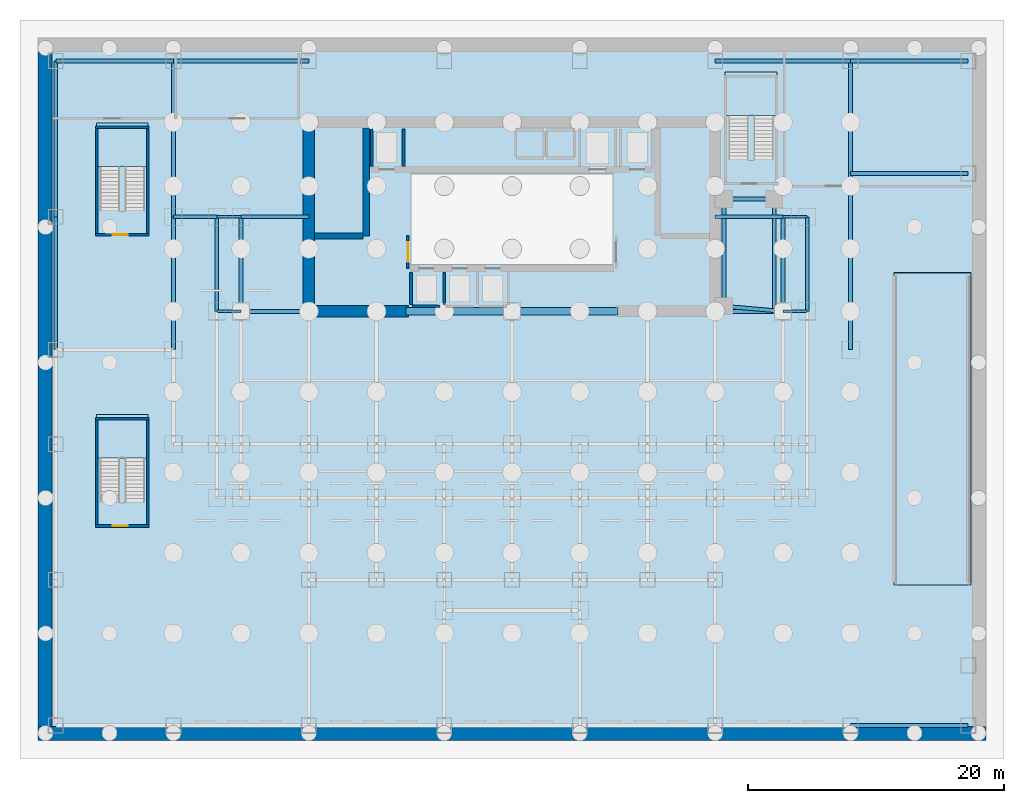
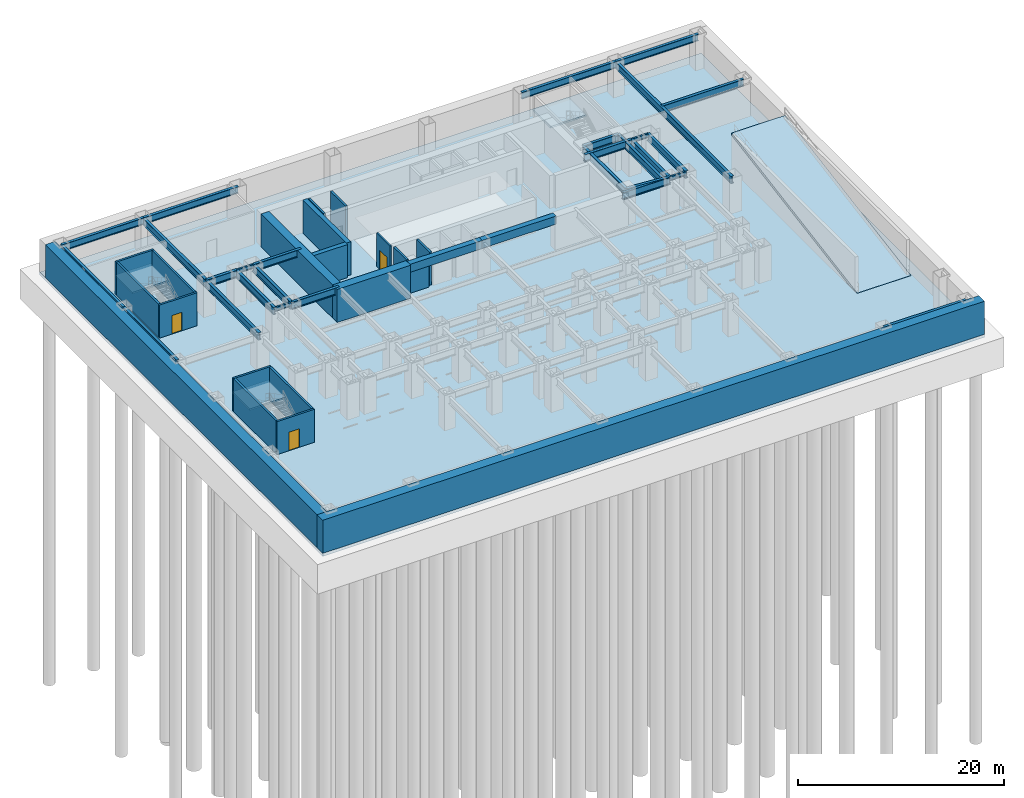
# One storey, part 3 of 7: 30 beams, 20 walls, 5 slabs, 3 doors, 3 openings, 3 elements without a shape of their own.
"""IFC4 building model written with IfcOpenShell, lengths in metres."""

from ifc_helpers import new_model, si_unit, direction, frame, frame_2d, origin, origin_2d, place, context, subcontext, project, spatial, polyline, rectangle, i_section, outline, extrude, material, layer, layer_set, material_profile, profile_set, type_object, element, fill, aggregate, save


model = new_model("IFC4")

# Units and contexts
model_context = context("Model", 3, precision=1e-05, world=origin(), true_north=direction((0.0, 1.0)))
body_context = subcontext(model_context, "Body", "Model", "MODEL_VIEW")
ifc_project = project(units=[si_unit("LENGTHUNIT", "METRE"), si_unit("AREAUNIT", "SQUARE_METRE"), si_unit("VOLUMEUNIT", "CUBIC_METRE"), si_unit("PLANEANGLEUNIT", "RADIAN"), si_unit("MASSUNIT", "GRAM", prefix="KILO")], contexts=[model_context])

# Site, building, storey
site_placement = place(None, origin())
site = spatial("IfcSite", under=ifc_project, at=site_placement, CompositionType="ELEMENT")
building_placement = place(site_placement, origin())
building = spatial("IfcBuilding", under=site, at=building_placement, Name="Qianlan Lanfeng Residences", CompositionType="ELEMENT")
storey_placement = place(building_placement, frame((0.0, 0.0, -8.39990234375)))
storey = spatial("IfcBuildingStorey", under=building, at=storey_placement, Name="B2", CompositionType="ELEMENT", Elevation=-8.39990234375)

# Beams
ifc_material_1 = material(Name="Steel SN490B", Category="steel")
ifc_material_profile_1 = material_profile(ifc_material_1, i_section(OverallWidth=0.300048828125, OverallDepth=0.85009765625, WebThickness=0.01611328125, FlangeThickness=0.031982421875, at=origin_2d()), Name="H 850x300x16x32")
ifc_profile_set_1 = profile_set([ifc_material_profile_1], Name="Steel SN490B")
beam_type_1 = type_object("IfcBeamType", Name="G-1100", PredefinedType="BEAM", material=ifc_profile_set_1)
for number, where, z_axis, x_axis, name in (
    (1, (5.300048828125, 25.199951171875, 3.494873046875), (1.0, 0.0, 0.0), (0.0, 1.0, 0.0), "Structural beam G-1100"),
    (2, (42.39990234375, 25.199951171875, 3.494873046875), (1.0, 0.0, 0.0), (0.0, 1.0, 0.0), "Structural beam G-1100"),
):
    element("IfcBeam", number, at=place(storey_placement, frame(where, z_axis=z_axis, x_axis=x_axis)), inside=storey, type_object=beam_type_1, Name=name, PredefinedType="BEAM", context=body_context, shape_type="SweptSolid", body=[
        extrude(i_section(OverallWidth=0.300048828125, OverallDepth=0.85009765625, WebThickness=0.01611328125, FlangeThickness=0.031982421875, at=origin_2d()), origin(), (0.0, 0.0, 1.0), 5.300048828125),
    ])
beam_1_placement = place(storey_placement, frame((0.0, 32.60009765625, 3.494873046875), z_axis=(1.0, 0.0, 0.0), x_axis=(0.0, 1.0, 0.0)))
element("IfcBeam", 3, at=beam_1_placement, inside=storey, type_object=beam_type_1, Name="Structural beam G-1100", PredefinedType="BEAM", context=body_context, shape_type="SweptSolid", body=[
    extrude(i_section(OverallWidth=0.300048828125, OverallDepth=0.85009765625, WebThickness=0.01611328125, FlangeThickness=0.031982421875, at=origin_2d()), origin(), (0.0, 0.0, 1.0), 3.39990234375),
])
for number, where, z_axis, x_axis, name in (
    (4, (5.300048828125, 32.60009765625, 3.494873046875), (1.0, 0.0, 0.0), (0.0, 1.0, 0.0), "Structural beam G-1100"),
    (5, (42.39990234375, 32.60009765625, 3.494873046875), (1.0, 0.0, 0.0), (0.0, 1.0, 0.0), "Structural beam G-1100"),
):
    element("IfcBeam", number, at=place(storey_placement, frame(where, z_axis=z_axis, x_axis=x_axis)), inside=storey, type_object=beam_type_1, Name=name, PredefinedType="BEAM", context=body_context, shape_type="SweptSolid", body=[
        extrude(i_section(OverallWidth=0.300048828125, OverallDepth=0.85009765625, WebThickness=0.01611328125, FlangeThickness=0.031982421875, at=origin_2d()), origin(), (0.0, 0.0, 1.0), 5.300048828125),
    ])
beam_2_placement = place(storey_placement, frame((-9.199951171875, 22.199951171875, 3.494873046875), z_axis=(0.0, 1.0, 0.0), x_axis=(-1.0, 0.0, 0.0)))
element("IfcBeam", 6, at=beam_2_placement, inside=storey, type_object=beam_type_1, Name="Structural beam G-1100", PredefinedType="BEAM", context=body_context, shape_type="SweptSolid", body=[
    extrude(i_section(OverallWidth=0.300048828125, OverallDepth=0.85009765625, WebThickness=0.01611328125, FlangeThickness=0.031982421875, at=origin_2d()), origin(), (0.0, 0.0, 1.0), 10.400146484375),
])
beam_3_placement = place(storey_placement, frame((-9.199951171875, 32.60009765625, 3.494873046875), z_axis=(0.0, 1.0, 0.0), x_axis=(-1.0, 0.0, 0.0)))
element("IfcBeam", 7, at=beam_3_placement, inside=storey, type_object=beam_type_1, Name="Structural beam G-1100", PredefinedType="BEAM", context=body_context, shape_type="SweptSolid", body=[
    extrude(i_section(OverallWidth=0.300048828125, OverallDepth=0.85009765625, WebThickness=0.01611328125, FlangeThickness=0.031982421875, at=origin_2d()), origin(), (0.0, 0.0, 1.0), 12.199951171875),
])
beam_4_placement = place(storey_placement, frame((0.0, 22.199951171875, 3.494873046875), z_axis=(0.0, 1.0, 0.0), x_axis=(-1.0, 0.0, 0.0)))
element("IfcBeam", 8, at=beam_4_placement, inside=storey, type_object=beam_type_1, Name="Structural beam G-1100", PredefinedType="BEAM", context=body_context, shape_type="SweptSolid", body=[
    extrude(i_section(OverallWidth=0.300048828125, OverallDepth=0.85009765625, WebThickness=0.01611328125, FlangeThickness=0.031982421875, at=origin_2d()), origin(), (0.0, 0.0, 1.0), 10.400146484375),
])
beam_5_placement = place(storey_placement, frame((0.0, 32.60009765625, 3.494873046875), z_axis=(0.0, 1.0, 0.0), x_axis=(-1.0, 0.0, 0.0)))
element("IfcBeam", 9, at=beam_5_placement, inside=storey, type_object=beam_type_1, Name="Structural beam G-1100", PredefinedType="BEAM", context=body_context, shape_type="SweptSolid", body=[
    extrude(i_section(OverallWidth=0.300048828125, OverallDepth=0.85009765625, WebThickness=0.01611328125, FlangeThickness=0.031982421875, at=origin_2d()), origin(), (0.0, 0.0, 1.0), 12.199951171875),
])
for number, where, z_axis, x_axis, name in (
    (10, (3.39990234375, 25.199951171875, 3.494873046875), (0.0, 1.0, 0.0), (-1.0, 0.0, 0.0), "Structural beam G-1100"),
    (11, (5.300048828125, 25.199951171875, 3.494873046875), (0.0, 1.0, 0.0), (-1.0, 0.0, 0.0), "Structural beam G-1100"),
    (12, (47.699951171875, 25.199951171875, 3.494873046875), (0.0, 1.0, 0.0), (-1.0, 0.0, 0.0), "Structural beam G-1100"),
    (13, (49.60009765625, 25.199951171875, 3.494873046875), (0.0, 1.0, 0.0), (-1.0, 0.0, 0.0), "Structural beam G-1100"),
):
    element("IfcBeam", number, at=place(storey_placement, frame(where, z_axis=z_axis, x_axis=x_axis)), inside=storey, type_object=beam_type_1, Name=name, PredefinedType="BEAM", context=body_context, shape_type="SweptSolid", body=[
        extrude(i_section(OverallWidth=0.300048828125, OverallDepth=0.85009765625, WebThickness=0.01611328125, FlangeThickness=0.031982421875, at=origin_2d()), origin(), (0.0, 0.0, 1.0), 7.400146484375),
    ])
beam_6_placement = place(storey_placement, frame((53.0, 36.0, 3.494873046875), z_axis=(1.0, 0.0, 0.0), x_axis=(0.0, 1.0, 0.0)))
element("IfcBeam", 14, at=beam_6_placement, inside=storey, type_object=beam_type_1, Name="Structural beam G-1100", PredefinedType="BEAM", context=body_context, shape_type="SweptSolid", body=[
    extrude(i_section(OverallWidth=0.300048828125, OverallDepth=0.85009765625, WebThickness=0.01611328125, FlangeThickness=0.031982421875, at=origin_2d()), origin(), (0.0, 0.0, 1.0), 9.199951171875),
])
beam_7_placement = place(storey_placement, frame((53.0, 22.199951171875, 3.494873046875), z_axis=(0.0, 1.0, 0.0), x_axis=(-1.0, 0.0, 0.0)))
element("IfcBeam", 15, at=beam_7_placement, inside=storey, type_object=beam_type_1, Name="Structural beam G-1100", PredefinedType="BEAM", context=body_context, shape_type="SweptSolid", body=[
    extrude(i_section(OverallWidth=0.300048828125, OverallDepth=0.85009765625, WebThickness=0.01611328125, FlangeThickness=0.031982421875, at=origin_2d()), origin(), (0.0, 0.0, 1.0), 22.60009765625),
])
beam_8_placement = place(storey_placement, frame((43.080078125, 25.60009765625, 3.494873046875), z_axis=(0.996269966502, -0.086291099461, 0.0), x_axis=(0.086291099461, 0.996269966502, 0.0)))
element("IfcBeam", 16, at=beam_8_placement, inside=storey, type_object=beam_type_1, Name="B2 ST-P1 South Support Girder", PredefinedType="BEAM", context=body_context, shape_type="SweptSolid", body=[
    extrude(i_section(OverallWidth=0.300048828125, OverallDepth=0.85009765625, WebThickness=0.01611328125, FlangeThickness=0.031982421875, at=origin_2d()), origin(), (0.0, 0.0, 1.0), 4.63720703125),
])
beam_9_placement = place(storey_placement, frame((43.080078125, 34.0, 3.494873046875), z_axis=(1.0, 0.0, 0.0), x_axis=(0.0, 1.0, 0.0)))
element("IfcBeam", 17, at=beam_9_placement, inside=storey, type_object=beam_type_1, Name="B2 ST-P1 North Support Girder", PredefinedType="BEAM", context=body_context, shape_type="SweptSolid", body=[
    extrude(i_section(OverallWidth=0.300048828125, OverallDepth=0.85009765625, WebThickness=0.01611328125, FlangeThickness=0.031982421875, at=origin_2d()), origin(), (0.0, 0.0, 1.0), 3.93994140625),
])
beam_10_placement = place(storey_placement, frame((43.080078125, 25.60009765625, 3.494873046875), z_axis=(0.0, 1.0, 0.0), x_axis=(-1.0, 0.0, 0.0)))
element("IfcBeam", 18, at=beam_10_placement, inside=storey, type_object=beam_type_1, Name="B2 ST-P1 West Support Girder", PredefinedType="BEAM", context=body_context, shape_type="SweptSolid", body=[
    extrude(i_section(OverallWidth=0.300048828125, OverallDepth=0.85009765625, WebThickness=0.01611328125, FlangeThickness=0.031982421875, at=origin_2d()), origin(), (0.0, 0.0, 1.0), 8.39990234375),
])
beam_11_placement = place(storey_placement, frame((47.02001953125, 25.260009765625, 3.494873046875), z_axis=(0.0, 1.0, 0.0), x_axis=(-1.0, 0.0, 0.0)))
element("IfcBeam", 19, at=beam_11_placement, inside=storey, type_object=beam_type_1, Name="B2 ST-P1 East Support Girder", PredefinedType="BEAM", context=body_context, shape_type="SweptSolid", body=[
    extrude(i_section(OverallWidth=0.300048828125, OverallDepth=0.85009765625, WebThickness=0.01611328125, FlangeThickness=0.031982421875, at=origin_2d()), origin(), (0.0, 0.0, 1.0), 8.739990234375),
])
ifc_material_profile_2 = material_profile(ifc_material_1, i_section(OverallWidth=0.199951171875, OverallDepth=0.449951171875, WebThickness=0.009033203125, FlangeThickness=0.013916015625, at=origin_2d()), Name="H 450x200x9x14")
ifc_profile_set_2 = profile_set([ifc_material_profile_2], Name="Steel SN490B")
beam_type_2 = type_object("IfcBeamType", Name="J-450", PredefinedType="JOIST", material=ifc_profile_set_2)
for number, where, z_axis, x_axis, name in (
    (20, (3.39990234375, 25.199951171875, 3.69482421875), (1.0, 0.0, 0.0), (0.0, 1.0, 0.0), "Structural beam J-450"),
    (21, (47.699951171875, 25.199951171875, 3.69482421875), (1.0, 0.0, 0.0), (0.0, 1.0, 0.0), "Structural beam J-450"),
    (22, (3.39990234375, 32.60009765625, 3.69482421875), (1.0, 0.0, 0.0), (0.0, 1.0, 0.0), "Structural beam J-450"),
    (23, (47.699951171875, 32.60009765625, 3.69482421875), (1.0, 0.0, 0.0), (0.0, 1.0, 0.0), "Structural beam J-450"),
):
    element("IfcBeam", number, at=place(storey_placement, frame(where, z_axis=z_axis, x_axis=x_axis)), inside=storey, type_object=beam_type_2, Name=name, PredefinedType="JOIST", context=body_context, shape_type="SweptSolid", body=[
        extrude(i_section(OverallWidth=0.199951171875, OverallDepth=0.449951171875, WebThickness=0.009033203125, FlangeThickness=0.013916015625, at=origin_2d()), origin(), (0.0, 0.0, 1.0), 1.900146484375),
    ])
ifc_material_2 = material(Name="Concrete C60", Category="concrete")
ifc_material_profile_3 = material_profile(ifc_material_2, rectangle(XDim=0.60009765625, YDim=0.949951171875, at=origin_2d()), Name="RC 600x950")
ifc_profile_set_3 = profile_set([ifc_material_profile_3], Name="Concrete C60")
beam_type_3 = type_object("IfcBeamType", Name="LB-RC900", PredefinedType="BEAM", material=ifc_profile_set_3)
for number, where, z_axis, x_axis, name in (
    (24, (18.199951171875, 25.199951171875, 3.44482421875), (1.0, 0.0, 0.0), (0.0, 1.0, 0.0), "B2 Core Coupling Beam W"),
    (25, (26.5, 25.199951171875, 3.44482421875), (1.0, 0.0, 0.0), (0.0, 1.0, 0.0), "B2 Core Coupling Beam E"),
):
    element("IfcBeam", number, at=place(storey_placement, frame(where, z_axis=z_axis, x_axis=x_axis)), inside=storey, type_object=beam_type_3, Name=name, PredefinedType="BEAM", context=body_context, shape_type="SweptSolid", body=[
        extrude(rectangle(XDim=0.60009765625, YDim=0.949951171875, at=origin_2d()), origin(), (0.0, 0.0, 1.0), 8.300048828125),
    ])
ifc_material_profile_4 = material_profile(ifc_material_1, i_section(OverallWidth=0.300048828125, OverallDepth=0.800048828125, WebThickness=0.01611328125, FlangeThickness=0.028076171875, at=origin_2d()), Name="H 800x300x16x28")
ifc_profile_set_4 = profile_set([ifc_material_profile_4], Name="Steel SN490B")
beam_type_4 = type_object("IfcBeamType", Name="SG-950", PredefinedType="SPANDREL", material=ifc_profile_set_4)
for number, where, z_axis, x_axis, name in (
    (26, (53.0, -7.199951171875, 3.52001953125), (1.0, 0.0, 0.0), (0.0, 1.0, 0.0), "Structural beam SG-950"),
    (27, (-9.199951171875, 44.800048828125, 3.52001953125), (1.0, 0.0, 0.0), (0.0, 1.0, 0.0), "Structural beam SG-950"),
):
    element("IfcBeam", number, at=place(storey_placement, frame(where, z_axis=z_axis, x_axis=x_axis)), inside=storey, type_object=beam_type_4, Name=name, PredefinedType="SPANDREL", context=body_context, shape_type="SweptSolid", body=[
        extrude(i_section(OverallWidth=0.300048828125, OverallDepth=0.800048828125, WebThickness=0.01611328125, FlangeThickness=0.028076171875, at=origin_2d()), origin(), (0.0, 0.0, 1.0), 9.199951171875),
    ])
for number, where, z_axis, x_axis, name in (
    (28, (0.0, 44.800048828125, 3.52001953125), (1.0, 0.0, 0.0), (0.0, 1.0, 0.0), "Structural beam SG-950"),
    (29, (42.39990234375, 44.800048828125, 3.52001953125), (1.0, 0.0, 0.0), (0.0, 1.0, 0.0), "Structural beam SG-950"),
):
    element("IfcBeam", number, at=place(storey_placement, frame(where, z_axis=z_axis, x_axis=x_axis)), inside=storey, type_object=beam_type_4, Name=name, PredefinedType="SPANDREL", context=body_context, shape_type="SweptSolid", body=[
        extrude(i_section(OverallWidth=0.300048828125, OverallDepth=0.800048828125, WebThickness=0.01611328125, FlangeThickness=0.028076171875, at=origin_2d()), origin(), (0.0, 0.0, 1.0), 10.60009765625),
    ])
beam_12_placement = place(storey_placement, frame((53.0, 44.800048828125, 3.52001953125), z_axis=(1.0, 0.0, 0.0), x_axis=(0.0, 1.0, 0.0)))
element("IfcBeam", 30, at=beam_12_placement, inside=storey, type_object=beam_type_4, Name="Structural beam SG-950", PredefinedType="SPANDREL", context=body_context, shape_type="SweptSolid", body=[
    extrude(i_section(OverallWidth=0.300048828125, OverallDepth=0.800048828125, WebThickness=0.01611328125, FlangeThickness=0.028076171875, at=origin_2d()), origin(), (0.0, 0.0, 1.0), 9.199951171875),
])

# Slab
ifc_material_3 = material(Name="Concrete C49", Category="concrete")
ifc_layer_1 = layer(ifc_material_3, 0.360107421875)
ifc_layer_set_1 = layer_set([ifc_layer_1], Name="Concrete C49")
slab_type_1 = type_object("IfcSlabType", Name="S-BASE-360", PredefinedType="BASESLAB", material=ifc_layer_set_1)
slab_1_placement = place(storey_placement, frame((0.0, 0.0, -0.360107421875)))
element("IfcSlab", 31, at=slab_1_placement, inside=storey, type_object=slab_type_1, Name="B2 Structural Floor Slab", PredefinedType="BASESLAB", context=body_context, shape_type="SweptSolid", body=[
    extrude(outline(polyline([(-10.60009765625, -8.39990234375), (63.60009765625, -8.39990234375), (63.60009765625, 46.60009765625), (-10.60009765625, 46.60009765625), (-10.60009765625, -8.39990234375)]), holes=[polyline([(56.3798828125, 3.780029296875), (56.3798828125, 5.800048828125), (62.419921875, 5.800048828125), (62.419921875, 3.780029296875), (56.3798828125, 3.780029296875)])]), origin(), (0.0, 0.0, 1.0), 0.360107421875),
])

# Stair, slab
ifc_material_4 = material(Name="Concrete C42", Category="concrete")
stair_type = type_object("IfcStairType", Name="STR-POD", PredefinedType="HALF_TURN_STAIR", material=ifc_material_4)
stair_1_placement = place(storey_placement, origin())
stair_1 = element("IfcStair", 32, at=stair_1_placement, inside=storey, type_object=stair_type, Name="B2 Exit Stair ST-B1", PredefinedType="HALF_TURN_STAIR")
ifc_layer_2 = layer(ifc_material_4, 0.179931640625)
ifc_layer_set_2 = layer_set([ifc_layer_2], Name="Concrete C42")
slab_type_2 = type_object("IfcSlabType", Name="S-LND-180", PredefinedType="LANDING", material=ifc_layer_set_2)
slab_2_placement = place(storey_placement, frame((0.0, 0.0, 1.89990234375)))
slab_2 = element("IfcSlab", 33, at=slab_2_placement, type_object=slab_type_2, Name="ST-B1 landing 1", PredefinedType="LANDING", context=body_context, shape_type="SweptSolid", body=[
    extrude(outline(polyline([(-6.030029296875, 36.530029296875), (-1.969970703125, 36.530029296875), (-1.969970703125, 39.929931640625), (-6.030029296875, 39.929931640625), (-6.030029296875, 36.530029296875)])), origin(), (0.0, 0.0, 1.0), 0.199951171875),
])
aggregate(stair_1, [slab_2])

stair_2_placement = place(storey_placement, origin())
stair_2 = element("IfcStair", 34, at=stair_2_placement, inside=storey, type_object=stair_type, Name="B2 Exit Stair ST-B2", PredefinedType="HALF_TURN_STAIR")
slab_3_placement = place(storey_placement, frame((0.0, 0.0, 1.89990234375)))
slab_3 = element("IfcSlab", 35, at=slab_3_placement, type_object=slab_type_2, Name="ST-B2 landing 1", PredefinedType="LANDING", context=body_context, shape_type="SweptSolid", body=[
    extrude(outline(polyline([(43.169921875, 40.530029296875), (47.22998046875, 40.530029296875), (47.22998046875, 43.929931640625), (43.169921875, 43.929931640625), (43.169921875, 40.530029296875)])), origin(), (0.0, 0.0, 1.0), 0.199951171875),
])
aggregate(stair_2, [slab_3])

stair_3_placement = place(storey_placement, origin())
stair_3 = element("IfcStair", 36, at=stair_3_placement, inside=storey, type_object=stair_type, Name="B2 Exit Stair ST-BP1", PredefinedType="HALF_TURN_STAIR")
slab_4_placement = place(storey_placement, frame((0.0, 0.0, 1.89990234375)))
slab_4 = element("IfcSlab", 37, at=slab_4_placement, type_object=slab_type_2, Name="ST-BP1 landing 1", PredefinedType="LANDING", context=body_context, shape_type="SweptSolid", body=[
    extrude(outline(polyline([(-6.030029296875, 13.72998046875), (-1.969970703125, 13.72998046875), (-1.969970703125, 17.1298828125), (-6.030029296875, 17.1298828125), (-6.030029296875, 13.72998046875)])), origin(), (0.0, 0.0, 1.0), 0.199951171875),
])
aggregate(stair_3, [slab_4])

# Slab
ifc_layer_3 = layer(ifc_material_3, 0.300048828125)
ifc_layer_set_3 = layer_set([ifc_layer_3], Name="Concrete C49")
slab_type_3 = type_object("IfcSlabType", Name="S-VRMP-300", PredefinedType="FLOOR", material=ifc_layer_set_3)
slab_5_placement = place(storey_placement, frame((56.39990234375, 3.800048828125, 0.0), z_axis=(0.0, -0.169635146258, 0.985506934097), x_axis=(1.0, 0.0, 0.0)))
element("IfcSlab", 38, at=slab_5_placement, inside=storey, type_object=slab_type_3, Name="B2 Sloped Structural Vehicle Car-Park Ramp Slab (S-VRMP-300)", PredefinedType="FLOOR", context=body_context, shape_type="SweptSolid", body=[
    extrude(outline(polyline([(0.0, 0.0), (6.0, 0.0), (6.0, 24.758732282382127), (0.0, 24.758732282382127), (0.0, 0.0)])), origin(), (0.0, 0.0, -1.0), 0.300048828125),
])

# Walls
ifc_material_5 = material(Name="Concrete C70", Category="concrete")
ifc_layer_4 = layer(ifc_material_5, 0.5)
ifc_layer_set_4 = layer_set([ifc_layer_4], Name="Concrete C70")
wall_type_1 = type_object("IfcWallType", Name="CW-RC-500", PredefinedType="SHEAR", material=ifc_layer_set_4)
wall_1_placement = place(storey_placement, frame((15.10009765625, 31.10009765625, 0.0), z_axis=(0.0, 0.0, 1.0), x_axis=(0.0, 1.0, 0.0)))
element("IfcWall", 39, at=wall_1_placement, inside=storey, type_object=wall_type_1, Name="B2 Core Shear Wall ST1E", PredefinedType="SHEAR", context=body_context, shape_type="SweptSolid", body=[
    extrude(rectangle(XDim=8.449951171875, YDim=0.5, at=frame_2d((4.22509765625, 0.0))), origin(), (0.0, 0.0, 1.0), 3.919921875),
])
wall_2_placement = place(storey_placement, frame((11.050048828125, 31.10009765625, 0.0), z_axis=(0.0, 0.0, 1.0), x_axis=(1.0, 0.0, 0.0)))
element("IfcWall", 40, at=wall_2_placement, inside=storey, type_object=wall_type_1, Name="B2 Core Shear Wall ST1S", PredefinedType="SHEAR", context=body_context, shape_type="SweptSolid", body=[
    extrude(rectangle(XDim=3.800048828125, YDim=0.5, at=frame_2d((1.89990234375, 0.0))), origin(), (0.0, 0.0, 1.0), 3.919921875),
])
ifc_layer_5 = layer(ifc_material_5, 0.89990234375)
ifc_layer_set_5 = layer_set([ifc_layer_5], Name="Concrete C70")
wall_type_2 = type_object("IfcWallType", Name="CW-RC-900", PredefinedType="SHEAR", material=ifc_layer_set_5)
wall_3_placement = place(storey_placement, frame((10.60009765625, 25.64990234375, 0.0), z_axis=(0.0, 0.0, 1.0), x_axis=(0.0, 1.0, 0.0)))
element("IfcWall", 41, at=wall_3_placement, inside=storey, type_object=wall_type_2, Name="B2 Core Shear Wall W", PredefinedType="SHEAR", context=body_context, shape_type="SweptSolid", body=[
    extrude(rectangle(XDim=13.900146484375, YDim=0.89990234375, at=frame_2d((6.9501953125, 0.0))), origin(), (0.0, 0.0, 1.0), 3.919921875),
])
wall_4_placement = place(storey_placement, frame((10.14990234375, 25.199951171875, 0.0), z_axis=(0.0, 0.0, 1.0), x_axis=(1.0, 0.0, 0.0)))
element("IfcWall", 42, at=wall_4_placement, inside=storey, type_object=wall_type_2, Name="B2 Core Shear Wall SW", PredefinedType="SHEAR", context=body_context, shape_type="SweptSolid", body=[
    extrude(rectangle(XDim=8.25, YDim=0.89990234375, at=frame_2d((4.125, 0.0))), origin(), (0.0, 0.0, 1.0), 3.919921875),
])
ifc_layer_6 = layer(ifc_material_3, 1.10009765625)
ifc_layer_set_6 = layer_set([ifc_layer_6], Name="Concrete C49")
wall_type_3 = type_object("IfcWallType", Name="DW-1100", PredefinedType="USERDEFINED", material=ifc_layer_set_6)
wall_5_placement = place(storey_placement, frame((-10.60009765625, -7.85009765625, 0.0), z_axis=(0.0, 0.0, 1.0), x_axis=(1.0, 0.0, 0.0)))
element("IfcWall", 43, at=wall_5_placement, inside=storey, type_object=wall_type_3, Name="B2 Diaphragm Retaining Wall S", ObjectType="RETAININGWALL", PredefinedType="USERDEFINED", context=body_context, shape_type="SweptSolid", body=[
    extrude(rectangle(XDim=74.2001953125, YDim=1.10009765625, at=frame_2d((37.10009765625, 0.0))), origin(), (0.0, 0.0, 1.0), 3.919921875),
])
wall_6_placement = place(storey_placement, frame((-10.050048828125, 45.5, 0.0), z_axis=(0.0, 0.0, 1.0), x_axis=(0.0, -1.0, 0.0)))
element("IfcWall", 44, at=wall_6_placement, inside=storey, type_object=wall_type_3, Name="B2 Diaphragm Retaining Wall W", ObjectType="RETAININGWALL", PredefinedType="USERDEFINED", context=body_context, shape_type="SweptSolid", body=[
    extrude(rectangle(XDim=52.800048828125, YDim=1.10009765625, at=frame_2d((26.39990234375, 0.0))), origin(), (0.0, 0.0, 1.0), 3.919921875),
])

# Wall, opening, door
ifc_material_6 = material(Name="Autoclaved Aerated Concrete Blockwork 200 mm", Category="masonry")
ifc_layer_7 = layer(ifc_material_6, 0.199951171875)
ifc_layer_set_7 = layer_set([ifc_layer_7], Name="Autoclaved Aerated Concrete Blockwork 200 mm")
wall_type_4 = type_object("IfcWallType", Name="PW-200", PredefinedType="PARTITIONING", material=ifc_layer_set_7)
wall_7_placement = place(storey_placement, frame((18.35009765625, 28.550048828125, 0.0), z_axis=(0.0, 0.0, 1.0), x_axis=(0.0, 1.0, 0.0)))
wall_7 = element("IfcWall", 45, at=wall_7_placement, inside=storey, type_object=wall_type_4, Name="B2 Lift Lobby West Connector Wall", PredefinedType="PARTITIONING", context=body_context, shape_type="SweptSolid", body=[
    extrude(rectangle(XDim=2.599853515625, YDim=0.199951171875, at=frame_2d((1.2998046875, 0.0))), origin(), (0.0, 0.0, 1.0), 3.919921875),
])
opening_1_placement = place(wall_7_placement, frame((0.550048828125, 0.0, 0.0)))
opening_1 = element("IfcOpeningElement", 46, at=opening_1_placement, cuts=wall_7, Name="Opening B2-D04", PredefinedType="OPENING", context=body_context, shape_type="SweptSolid", body=[
    extrude(rectangle(XDim=1.5, YDim=2.25, at=frame_2d((0.75, 1.125))), frame((0.0, 0.10986328125, 0.0), z_axis=(0.0, -1.0, 0.0), x_axis=(1.0, 0.0, 0.0)), (0.0, 0.0, 1.0), 0.219970703125),
])
ifc_material_7 = material(Name="Timber Veneer Acoustic Fire Door", Category="wood")
door_type_1 = type_object("IfcDoorType", Name="DT-COR1", OperationType="NOTDEFINED", PredefinedType="DOOR", material=ifc_material_7)
door_1_placement = place(opening_1_placement, origin())
door_1 = element("IfcDoor", 47, at=door_1_placement, inside=storey, type_object=door_type_1, Name="B2 Lift Lobby West Portal Door B2-D04 (DT-COR1)", OperationType="DOUBLE_DOOR_SINGLE_SWING", OverallHeight=2.25, OverallWidth=1.5, PredefinedType="DOOR", context=body_context, shape_type="SweptSolid", body=[
    extrude(rectangle(XDim=1.5, YDim=2.25, at=frame_2d((0.75, 1.125))), frame((0.0, 0.02490234375, 0.0), z_axis=(0.0, -1.0, 0.0), x_axis=(1.0, 0.0, 0.0)), (0.0, 0.0, 1.0), 0.050048828125),
])
fill(opening_1, door_1)

# Walls
ifc_layer_8 = layer(ifc_material_3, 0.219970703125)
ifc_layer_set_8 = layer_set([ifc_layer_8], Name="Concrete C49")
wall_type_5 = type_object("IfcWallType", Name="SHW-220", PredefinedType="SOLIDWALL", material=ifc_layer_set_8)
for number, where, z_axis, x_axis, name in (
    (48, (15.52001953125, 36.550048828125, 0.0), (0.0, 0.0, 1.0), (0.0, 1.0, 0.0), "B2 Lift FFL-1 Shaft Wall W"),
    (49, (18.0, 36.550048828125, 0.0), (0.0, 0.0, 1.0), (0.0, 1.0, 0.0), "B2 Lift FFL-1 Shaft Wall E"),
):
    element("IfcWall", number, at=place(storey_placement, frame(where, z_axis=z_axis, x_axis=x_axis)), inside=storey, type_object=wall_type_5, Name=name, PredefinedType="SOLIDWALL", context=body_context, shape_type="SweptSolid", body=[
        extrude(rectangle(XDim=2.929931640625, YDim=0.219970703125, at=frame_2d((1.46484375, 0.0))), origin(), (0.0, 0.0, 1.0), 3.919921875),
    ])
wall_8_placement = place(storey_placement, frame((18.60009765625, 25.719970703125, 0.0), z_axis=(0.0, 0.0, 1.0), x_axis=(0.0, 1.0, 0.0)))
element("IfcWall", 50, at=wall_8_placement, inside=storey, type_object=wall_type_5, Name="B2 Lift PL-L1 Shaft Wall W", PredefinedType="SOLIDWALL", context=body_context, shape_type="SweptSolid", body=[
    extrude(rectangle(XDim=2.530029296875, YDim=0.219970703125, at=frame_2d((1.26513671875, 0.0))), origin(), (0.0, 0.0, 1.0), 3.919921875),
])
wall_9_placement = place(storey_placement, frame((18.719970703125, 25.60009765625, 0.0), z_axis=(0.0, 0.0, 1.0), x_axis=(1.0, 0.0, 0.0)))
element("IfcWall", 51, at=wall_9_placement, inside=storey, type_object=wall_type_5, Name="B2 Lift PL-L1 Shaft Back Wall S", PredefinedType="SOLIDWALL", context=body_context, shape_type="SweptSolid", body=[
    extrude(rectangle(XDim=2.159912109375, YDim=0.219970703125, at=frame_2d((1.080078125, 0.0))), origin(), (0.0, 0.0, 1.0), 2.96484375),
])
wall_10_placement = place(storey_placement, frame((21.199951171875, 25.719970703125, 0.0), z_axis=(0.0, 0.0, 1.0), x_axis=(0.0, 1.0, 0.0)))
element("IfcWall", 52, at=wall_10_placement, inside=storey, type_object=wall_type_5, Name="B2 Lift PL-L2 Shaft Wall W", PredefinedType="SOLIDWALL", context=body_context, shape_type="SweptSolid", body=[
    extrude(rectangle(XDim=2.530029296875, YDim=0.219970703125, at=frame_2d((1.26513671875, 0.0))), origin(), (0.0, 0.0, 1.0), 3.919921875),
])
ifc_layer_9 = layer(ifc_material_3, 0.219970703125)
ifc_layer_set_9 = layer_set([ifc_layer_9], Name="Concrete C49")
wall_type_6 = type_object("IfcWallType", Name="STW-RC-220", PredefinedType="SHEAR", material=ifc_layer_set_9)
wall_11_placement = place(storey_placement, frame((-6.110107421875, 39.60009765625, 0.0), z_axis=(0.0, 0.0, 1.0), x_axis=(1.0, 0.0, 0.0)))
element("IfcWall", 53, at=wall_11_placement, inside=storey, type_object=wall_type_6, Name="B2 Stair ST-B1 Enclosure Wall N", PredefinedType="SHEAR", context=body_context, shape_type="SweptSolid", body=[
    extrude(rectangle(XDim=4.22021484375, YDim=0.219970703125, at=frame_2d((2.110107421875, 0.0))), origin(), (0.0, 0.0, 1.0), 3.919921875),
])
for number, where, z_axis, x_axis, name in (
    (54, (-6.0, 31.31005859375, 0.0), (0.0, 0.0, 1.0), (0.0, 1.0, 0.0), "B2 Stair ST-B1 Enclosure Wall W"),
    (55, (-2.0, 31.31005859375, 0.0), (0.0, 0.0, 1.0), (0.0, 1.0, 0.0), "B2 Stair ST-B1 Enclosure Wall E"),
):
    element("IfcWall", number, at=place(storey_placement, frame(where, z_axis=z_axis, x_axis=x_axis)), inside=storey, type_object=wall_type_6, Name=name, PredefinedType="SHEAR", context=body_context, shape_type="SweptSolid", body=[
        extrude(rectangle(XDim=8.179931640625, YDim=0.219970703125, at=frame_2d((4.08984375, 0.0))), origin(), (0.0, 0.0, 1.0), 3.919921875),
    ])

# Wall, opening, door
wall_12_placement = place(storey_placement, frame((-6.110107421875, 31.199951171875, 0.0), z_axis=(0.0, 0.0, 1.0), x_axis=(1.0, 0.0, 0.0)))
wall_12 = element("IfcWall", 56, at=wall_12_placement, inside=storey, type_object=wall_type_6, Name="B2 Stair ST-B1 Enclosure Wall S", PredefinedType="SHEAR", context=body_context, shape_type="SweptSolid", body=[
    extrude(rectangle(XDim=4.22021484375, YDim=0.219970703125, at=frame_2d((2.110107421875, 0.0))), origin(), (0.0, 0.0, 1.0), 3.919921875),
])
opening_2_placement = place(wall_12_placement, frame((1.375, 0.0, 0.0)))
opening_2 = element("IfcOpeningElement", 57, at=opening_2_placement, cuts=wall_12, Name="Opening B2-D01", PredefinedType="OPENING", context=body_context, shape_type="SweptSolid", body=[
    extrude(rectangle(XDim=1.14990234375, YDim=2.199951171875, at=frame_2d((0.574951171875, 1.10009765625))), frame((0.0, 0.1201171875, 0.0), z_axis=(0.0, -1.0, 0.0), x_axis=(1.0, 0.0, 0.0)), (0.0, 0.0, 1.0), 0.239990234375),
])
ifc_material_8 = material(Name="Painted Galvanised Steel Fire Door", Category="steel")
door_type_2 = type_object("IfcDoorType", Name="DT-ST1", OperationType="NOTDEFINED", PredefinedType="DOOR", material=ifc_material_8)
door_2_placement = place(opening_2_placement, origin())
door_2 = element("IfcDoor", 58, at=door_2_placement, inside=storey, type_object=door_type_2, Name="B2 Exit Stair ST-B1 Door B2-D01 (DT-ST1)", OperationType="SINGLE_SWING_LEFT", OverallHeight=2.199951171875, OverallWidth=1.14990234375, PredefinedType="DOOR", context=body_context, shape_type="SweptSolid", body=[
    extrude(rectangle(XDim=1.14990234375, YDim=2.199951171875, at=frame_2d((0.574951171875, 1.10009765625))), frame((0.0, 0.02490234375, 0.0), z_axis=(0.0, -1.0, 0.0), x_axis=(1.0, 0.0, 0.0)), (0.0, 0.0, 1.0), 0.050048828125),
])
fill(opening_2, door_2)

# Walls
wall_13_placement = place(storey_placement, frame((-6.110107421875, 16.800048828125, 0.0), z_axis=(0.0, 0.0, 1.0), x_axis=(1.0, 0.0, 0.0)))
element("IfcWall", 59, at=wall_13_placement, inside=storey, type_object=wall_type_6, Name="B2 Stair ST-BP1 Enclosure Wall N", PredefinedType="SHEAR", context=body_context, shape_type="SweptSolid", body=[
    extrude(rectangle(XDim=4.22021484375, YDim=0.219970703125, at=frame_2d((2.110107421875, 0.0))), origin(), (0.0, 0.0, 1.0), 3.919921875),
])
for number, where, z_axis, x_axis, name in (
    (60, (-6.0, 8.510009765625, 0.0), (0.0, 0.0, 1.0), (0.0, 1.0, 0.0), "B2 Stair ST-BP1 Enclosure Wall W"),
    (61, (-2.0, 8.510009765625, 0.0), (0.0, 0.0, 1.0), (0.0, 1.0, 0.0), "B2 Stair ST-BP1 Enclosure Wall E"),
):
    element("IfcWall", number, at=place(storey_placement, frame(where, z_axis=z_axis, x_axis=x_axis)), inside=storey, type_object=wall_type_6, Name=name, PredefinedType="SHEAR", context=body_context, shape_type="SweptSolid", body=[
        extrude(rectangle(XDim=8.179931640625, YDim=0.219970703125, at=frame_2d((4.08984375, 0.0))), origin(), (0.0, 0.0, 1.0), 3.919921875),
    ])

# Wall, opening, door
wall_14_placement = place(storey_placement, frame((-6.110107421875, 8.39990234375, 0.0), z_axis=(0.0, 0.0, 1.0), x_axis=(1.0, 0.0, 0.0)))
wall_14 = element("IfcWall", 62, at=wall_14_placement, inside=storey, type_object=wall_type_6, Name="B2 Stair ST-BP1 Enclosure Wall S", PredefinedType="SHEAR", context=body_context, shape_type="SweptSolid", body=[
    extrude(rectangle(XDim=4.22021484375, YDim=0.219970703125, at=frame_2d((2.110107421875, 0.0))), origin(), (0.0, 0.0, 1.0), 3.919921875),
])
opening_3_placement = place(wall_14_placement, frame((1.375, 0.0, 0.0)))
opening_3 = element("IfcOpeningElement", 63, at=opening_3_placement, cuts=wall_14, Name="Opening B2-D03", PredefinedType="OPENING", context=body_context, shape_type="SweptSolid", body=[
    extrude(rectangle(XDim=1.14990234375, YDim=2.199951171875, at=frame_2d((0.574951171875, 1.10009765625))), frame((0.0, 0.1201171875, 0.0), z_axis=(0.0, -1.0, 0.0), x_axis=(1.0, 0.0, 0.0)), (0.0, 0.0, 1.0), 0.239990234375),
])
door_3_placement = place(opening_3_placement, origin())
door_3 = element("IfcDoor", 64, at=door_3_placement, inside=storey, type_object=door_type_2, Name="B2 Exit Stair ST-BP1 Door B2-D03 (DT-ST1)", OperationType="SINGLE_SWING_LEFT", OverallHeight=2.199951171875, OverallWidth=1.14990234375, PredefinedType="DOOR", context=body_context, shape_type="SweptSolid", body=[
    extrude(rectangle(XDim=1.14990234375, YDim=2.199951171875, at=frame_2d((0.574951171875, 1.10009765625))), frame((0.0, 0.02490234375, 0.0), z_axis=(0.0, -1.0, 0.0), x_axis=(1.0, 0.0, 0.0)), (0.0, 0.0, 1.0), 0.050048828125),
])
fill(opening_3, door_3)

save(model, "model.ifc")
